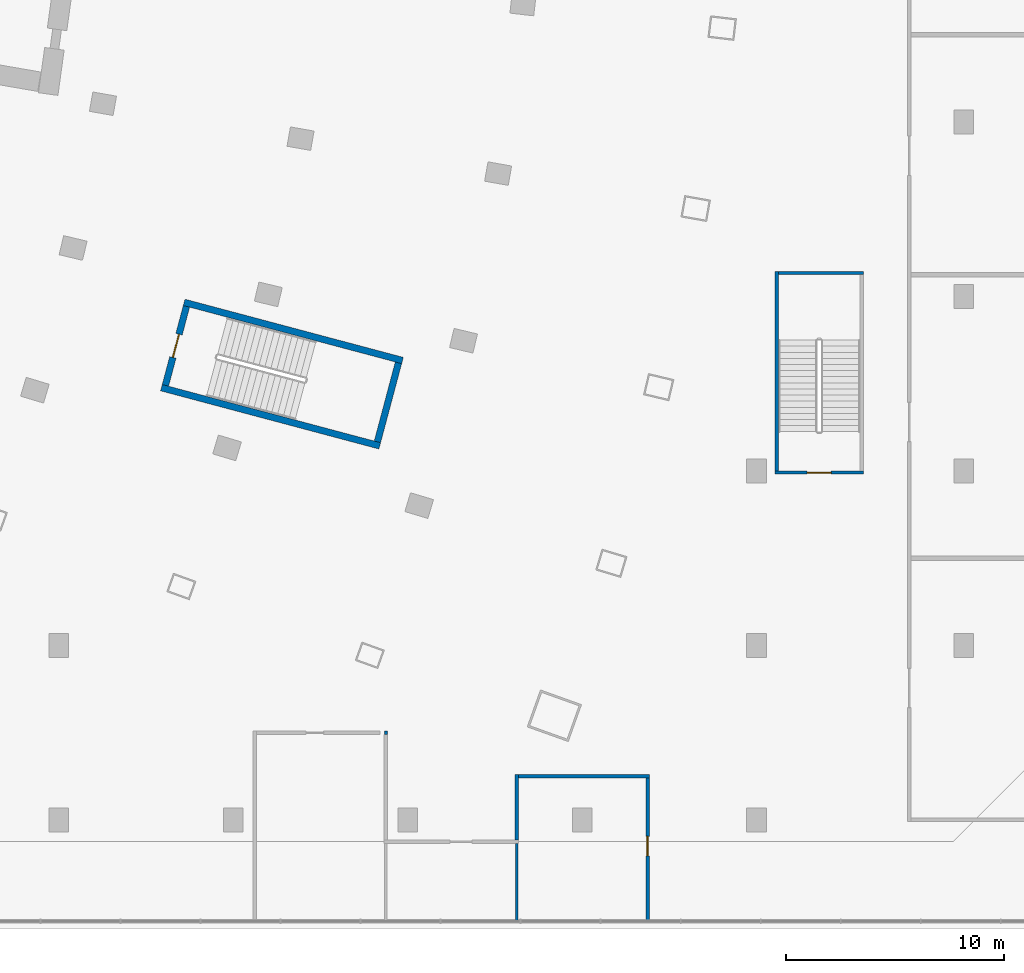
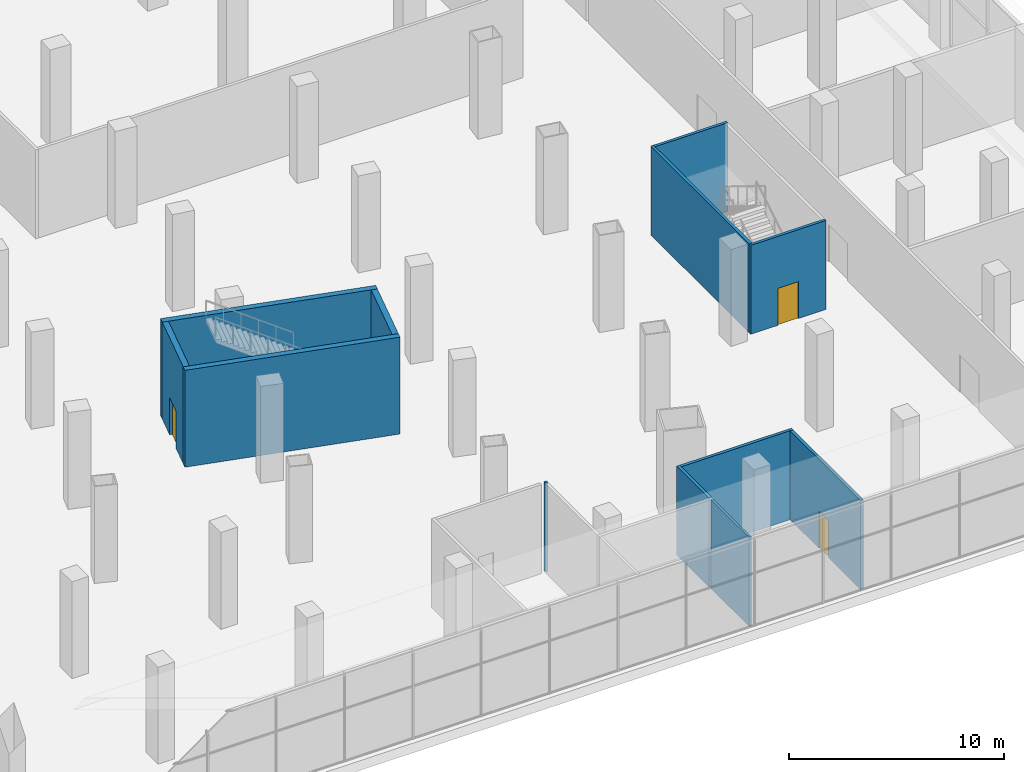
# One storey, part 10 of 26: 12 walls, 3 doors, 3 openings.
"""IFC4 building model written with IfcOpenShell, lengths in metres."""

from ifc_helpers import new_model, si_unit, direction, frame, frame_2d, origin, place, context, subcontext, project, spatial, rectangle, extrude, material, layer, layer_set, type_object, element, fill, save


model = new_model("IFC4")

# Units and contexts
model_context = context("Model", 3, precision=1e-05, world=origin(), true_north=direction((0.0, 1.0)))
body_context = subcontext(model_context, "Body", "Model", "MODEL_VIEW")
ifc_project = project(units=[si_unit("LENGTHUNIT", "METRE"), si_unit("AREAUNIT", "SQUARE_METRE"), si_unit("VOLUMEUNIT", "CUBIC_METRE"), si_unit("PLANEANGLEUNIT", "RADIAN"), si_unit("MASSUNIT", "GRAM", prefix="KILO")], contexts=[model_context])

# Site, building, storey
site_placement = place(None, origin())
site = spatial("IfcSite", under=ifc_project, at=site_placement, CompositionType="ELEMENT")
building_placement = place(site_placement, origin())
building = spatial("IfcBuilding", under=site, at=building_placement, Name="Alderwake Tower", CompositionType="ELEMENT")
storey_placement = place(building_placement, frame((0.0, 0.0, 8.0)))
storey = spatial("IfcBuildingStorey", under=building, at=storey_placement, Name="L01", CompositionType="ELEMENT", Elevation=8.0)

# Walls
ifc_material_1 = material(Name="Concrete C70/85", Category="concrete")
ifc_layer_1 = layer(ifc_material_1, 0.300048828125)
ifc_layer_set_1 = layer_set([ifc_layer_1], Name="Core wall stair enclosure 300 C70-85")
wall_type_1 = type_object("IfcWallType", Name="Core wall stair enclosure 300 C70-85", PredefinedType="SHEAR", material=ifc_layer_set_1)
for number, where, z_axis, x_axis, name in (
    (1, (37.75390625, 31.731201171875, 0.0), (0.0, 0.0, 1.0), (0.966309214305, -0.257383958996, 0.0), "Core wall CW.086"),
    (2, (36.71142578125, 27.817626953125, 0.0), (0.0, 0.0, 1.0), (0.966309214305, -0.257383958996, 0.0), "Core wall CW.088"),
):
    element("IfcWall", number, at=place(storey_placement, frame(where, z_axis=z_axis, x_axis=x_axis)), inside=storey, type_object=wall_type_1, Name=name, PredefinedType="SHEAR", context=body_context, shape_type="SweptSolid", body=[
        extrude(rectangle(XDim=10.360107421875, YDim=0.300048828125, at=frame_2d((5.18017578125, 0.0))), origin(), (0.0, 0.0, 1.0), 5.5),
    ])

# Wall, opening, door
wall_1_placement = place(storey_placement, frame((36.89501953125, 27.923828125, 0.0), z_axis=(0.0, 0.0, 1.0), x_axis=(0.257350630826, 0.966318090907, 0.0)))
wall_1 = element("IfcWall", 3, at=wall_1_placement, inside=storey, type_object=wall_type_1, Name="Core wall CW.087", PredefinedType="SHEAR", context=body_context, shape_type="SweptSolid", body=[
    extrude(rectangle(XDim=3.75, YDim=0.300048828125, at=frame_2d((1.875, 0.0))), origin(), (0.0, 0.0, 1.0), 5.5),
])
opening_1_placement = place(wall_1_placement, frame((1.324951171875, 0.0, 0.0)))
opening_1 = element("IfcOpeningElement", 4, at=opening_1_placement, cuts=wall_1, Name="Opening C065", PredefinedType="OPENING", context=body_context, shape_type="SweptSolid", body=[
    extrude(rectangle(XDim=1.10009765625, YDim=2.10009765625, at=frame_2d((0.550048828125, 1.050048828125))), frame((0.0, 0.159912109375, 0.0), z_axis=(0.0, -1.0, 0.0), x_axis=(1.0, 0.0, 0.0)), (0.0, 0.0, 1.0), 0.320068359375),
])
ifc_material_2 = material(Name="Steel-framed fire door leaf", Category="steel")
door_type_1 = type_object("IfcDoorType", Name="Core stair door 1100 fire-rated", OperationType="SINGLE_SWING_LEFT", PredefinedType="DOOR", material=ifc_material_2)
door_1_placement = place(opening_1_placement, origin())
door_1 = element("IfcDoor", 5, at=door_1_placement, inside=storey, type_object=door_type_1, Name="Stair door", OperationType="SINGLE_SWING_LEFT", OverallHeight=2.10009765625, OverallWidth=1.10009765625, PredefinedType="DOOR", context=body_context, shape_type="SweptSolid", body=[
    extrude(rectangle(XDim=1.10009765625, YDim=2.10009765625, at=frame_2d((0.550048828125, 1.050048828125))), frame((0.0, 0.02490234375, 0.0), z_axis=(0.0, -1.0, 0.0), x_axis=(1.0, 0.0, 0.0)), (0.0, 0.0, 1.0), 0.050048828125),
])
fill(opening_1, door_1)

# Walls
wall_2_placement = place(storey_placement, frame((46.6162109375, 25.334716796875, 0.0), z_axis=(0.0, 0.0, 1.0), x_axis=(0.257366821694, 0.966313778796, 0.0)))
element("IfcWall", 6, at=wall_2_placement, inside=storey, type_object=wall_type_1, Name="Core wall CW.085", PredefinedType="SHEAR", context=body_context, shape_type="SweptSolid", body=[
    extrude(rectangle(XDim=3.749755859375, YDim=0.300048828125, at=frame_2d((1.875, 0.0))), origin(), (0.0, 0.0, 1.0), 5.5),
])
ifc_material_3 = material(Name="Gypsum board on metal studs, rated")
ifc_layer_2 = layer(ifc_material_3, 0.159912109375)
ifc_layer_set_2 = layer_set([ifc_layer_2], Name="Corridor wall 160")
wall_type_2 = type_object("IfcWallType", Name="Corridor wall 160", PredefinedType="PARTITIONING", material=ifc_layer_set_2)
wall_3_placement = place(storey_placement, frame((46.943603515625, 12.0, 0.0), z_axis=(0.0, 0.0, 1.0), x_axis=(1.0, 0.0, 0.0)))
element("IfcWall", 7, at=wall_3_placement, inside=storey, type_object=wall_type_2, Name="WL/L01/W48", PredefinedType="PARTITIONING", context=body_context, shape_type="SweptSolid", body=[
    extrude(rectangle(XDim=0.137451171875, YDim=0.159912109375, at=frame_2d((0.06884765625, 0.0))), origin(), (0.0, 0.0, 1.0), 5.050048828125),
])
wall_4_placement = place(storey_placement, frame((53.0009765625, 7.0791015625, 0.0), z_axis=(0.0, 0.0, 1.0), x_axis=(0.0, 1.0, 0.0)))
element("IfcWall", 8, at=wall_4_placement, inside=storey, type_object=wall_type_2, Name="WL/L01/W52", PredefinedType="PARTITIONING", context=body_context, shape_type="SweptSolid", body=[
    extrude(rectangle(XDim=3.0, YDim=0.159912109375, at=frame_2d((1.5, 0.0))), origin(), (0.0, 0.0, 1.0), 5.050048828125),
])
wall_5_placement = place(storey_placement, frame((53.0810546875, 9.9990234375, 0.0), z_axis=(0.0, 0.0, 1.0), x_axis=(1.0, 0.0, 0.0)))
element("IfcWall", 9, at=wall_5_placement, inside=storey, type_object=wall_type_2, Name="WL/L01/W53", PredefinedType="PARTITIONING", context=body_context, shape_type="SweptSolid", body=[
    extrude(rectangle(XDim=6.0, YDim=0.159912109375, at=frame_2d((3.0, 0.0))), origin(), (0.0, 0.0, 1.0), 5.050048828125),
])

# Wall, opening, door
wall_6_placement = place(storey_placement, frame((59.0009765625, 9.9189453125, 0.0), z_axis=(0.0, 0.0, 1.0), x_axis=(0.0, -1.0, 0.0)))
wall_6 = element("IfcWall", 10, at=wall_6_placement, inside=storey, type_object=wall_type_2, Name="WL/L01/W54", PredefinedType="PARTITIONING", context=body_context, shape_type="SweptSolid", body=[
    extrude(rectangle(XDim=6.5390625, YDim=0.159912109375, at=frame_2d((3.26953125, 0.0))), origin(), (0.0, 0.0, 1.0), 5.050048828125),
])
opening_2_placement = place(wall_6_placement, frame((2.6689453125, 0.0, 0.0)))
opening_2 = element("IfcOpeningElement", 11, at=opening_2_placement, cuts=wall_6, Name="Opening L01-17", PredefinedType="OPENING", context=body_context, shape_type="SweptSolid", body=[
    extrude(rectangle(XDim=0.89990234375, YDim=2.10009765625, at=frame_2d((0.449951171875, 1.050048828125))), frame((0.0, 0.08984375, 0.0), z_axis=(0.0, -1.0, 0.0), x_axis=(1.0, 0.0, 0.0)), (0.0, 0.0, 1.0), 0.179931640625),
])
ifc_material_4 = material(Name="Painted timber leaf", Category="wood")
door_type_2 = type_object("IfcDoorType", Name="Room door 900", OperationType="SINGLE_SWING_LEFT", PredefinedType="DOOR", material=ifc_material_4)
door_2_placement = place(opening_2_placement, origin())
door_2 = element("IfcDoor", 12, at=door_2_placement, inside=storey, type_object=door_type_2, Name="DR/L01/17", OperationType="SINGLE_SWING_LEFT", OverallHeight=2.10009765625, OverallWidth=0.89990234375, PredefinedType="DOOR", context=body_context, shape_type="SweptSolid", body=[
    extrude(rectangle(XDim=0.89990234375, YDim=2.10009765625, at=frame_2d((0.449951171875, 1.050048828125))), frame((0.0, 0.02490234375, 0.0), z_axis=(0.0, -1.0, 0.0), x_axis=(1.0, 0.0, 0.0)), (0.0, 0.0, 1.0), 0.050048828125),
])
fill(opening_2, door_2)

ifc_material_5 = material(Name="Gypsum shaft wall system, rated")
ifc_layer_3 = layer(ifc_material_5, 0.14990234375)
ifc_layer_set_3 = layer_set([ifc_layer_3], Name="Riser and shaft wall 150")
wall_type_3 = type_object("IfcWallType", Name="Riser and shaft wall 150", PredefinedType="PARTITIONING", material=ifc_layer_set_3)
wall_7_placement = place(storey_placement, frame((68.90087890625, 23.925048828125, 0.0), z_axis=(0.0, 0.0, 1.0), x_axis=(-1.0, 0.0, 0.0)))
wall_7 = element("IfcWall", 13, at=wall_7_placement, inside=storey, type_object=wall_type_3, Name="WL/L01/W18", PredefinedType="PARTITIONING", context=body_context, shape_type="SweptSolid", body=[
    extrude(rectangle(XDim=4.0498046875, YDim=0.14990234375, at=frame_2d((2.02490234375, 0.0))), origin(), (0.0, 0.0, 1.0), 5.050048828125),
])
opening_3_placement = place(wall_7_placement, frame((1.47607421875, 0.0, 0.0)))
opening_3 = element("IfcOpeningElement", 14, at=opening_3_placement, cuts=wall_7, Name="Opening L01-23", PredefinedType="OPENING", context=body_context, shape_type="SweptSolid", body=[
    extrude(rectangle(XDim=1.10009765625, YDim=2.10009765625, at=frame_2d((0.550048828125, 1.050048828125))), frame((0.0, 0.0849609375, 0.0), z_axis=(0.0, -1.0, 0.0), x_axis=(1.0, 0.0, 0.0)), (0.0, 0.0, 1.0), 0.169921875),
])
ifc_material_6 = material(Name="Steel-framed fire door leaf", Category="steel")
door_type_3 = type_object("IfcDoorType", Name="Stair door 1100 fire-rated", OperationType="SINGLE_SWING_LEFT", PredefinedType="DOOR", material=ifc_material_6)
door_3_placement = place(opening_3_placement, origin())
door_3 = element("IfcDoor", 15, at=door_3_placement, inside=storey, type_object=door_type_3, Name="DR/L01/23", OperationType="SINGLE_SWING_LEFT", OverallHeight=2.10009765625, OverallWidth=1.10009765625, PredefinedType="DOOR", context=body_context, shape_type="SweptSolid", body=[
    extrude(rectangle(XDim=1.10009765625, YDim=2.10009765625, at=frame_2d((0.550048828125, 1.050048828125))), frame((0.0, 0.02490234375, 0.0), z_axis=(0.0, -1.0, 0.0), x_axis=(1.0, 0.0, 0.0)), (0.0, 0.0, 1.0), 0.050048828125),
])
fill(opening_3, door_3)

# Walls
ifc_material_7 = material(Name="Concrete C40/50", Category="concrete")
ifc_layer_4 = layer(ifc_material_7, 0.14990234375)
ifc_layer_set_4 = layer_set([ifc_layer_4], Name="Stair shaft wall 150 C40/50")
wall_type_4 = type_object("IfcWallType", Name="Stair shaft wall 150 C40/50", PredefinedType="SHEAR", material=ifc_layer_set_4)
wall_8_placement = place(storey_placement, frame((64.926025390625, 33.14990234375, 0.0), z_axis=(0.0, 0.0, 1.0), x_axis=(0.0, -1.0, 0.0)))
element("IfcWall", 16, at=wall_8_placement, inside=storey, type_object=wall_type_4, Name="WL/L01/W19", PredefinedType="SHEAR", context=body_context, shape_type="SweptSolid", body=[
    extrude(rectangle(XDim=9.14990234375, YDim=0.14990234375, at=frame_2d((4.574951171875, 0.0))), origin(), (0.0, 0.0, 1.0), 5.050048828125),
])
wall_9_placement = place(storey_placement, frame((68.90087890625, 33.074951171875, 0.0), z_axis=(0.0, 0.0, 1.0), x_axis=(-1.0, 0.0, 0.0)))
element("IfcWall", 17, at=wall_9_placement, inside=storey, type_object=wall_type_4, Name="WL/L01/W23", PredefinedType="SHEAR", context=body_context, shape_type="SweptSolid", body=[
    extrude(rectangle(XDim=3.89990234375, YDim=0.14990234375, at=frame_2d((1.949951171875, 0.0))), origin(), (0.0, 0.0, 1.0), 5.050048828125),
])
ifc_material_8 = material(Name="Moisture resistant gypsum board on metal studs")
ifc_layer_5 = layer(ifc_material_8, 0.1201171875)
ifc_layer_set_5 = layer_set([ifc_layer_5], Name="Wet room partition 120")
wall_type_5 = type_object("IfcWallType", Name="Wet room partition 120", PredefinedType="PARTITIONING", material=ifc_layer_set_5)
wall_10_placement = place(storey_placement, frame((53.0009765625, 3.3798828125, 0.0), z_axis=(0.0, 0.0, 1.0), x_axis=(0.0, 1.0, 0.0)))
element("IfcWall", 18, at=wall_10_placement, inside=storey, type_object=wall_type_5, Name="WL/L01/W67", PredefinedType="PARTITIONING", context=body_context, shape_type="SweptSolid", body=[
    extrude(rectangle(XDim=3.5390625, YDim=0.1201171875, at=frame_2d((1.76953125, 0.0))), origin(), (0.0, 0.0, 1.0), 5.050048828125),
])

save(model, "model.ifc")
